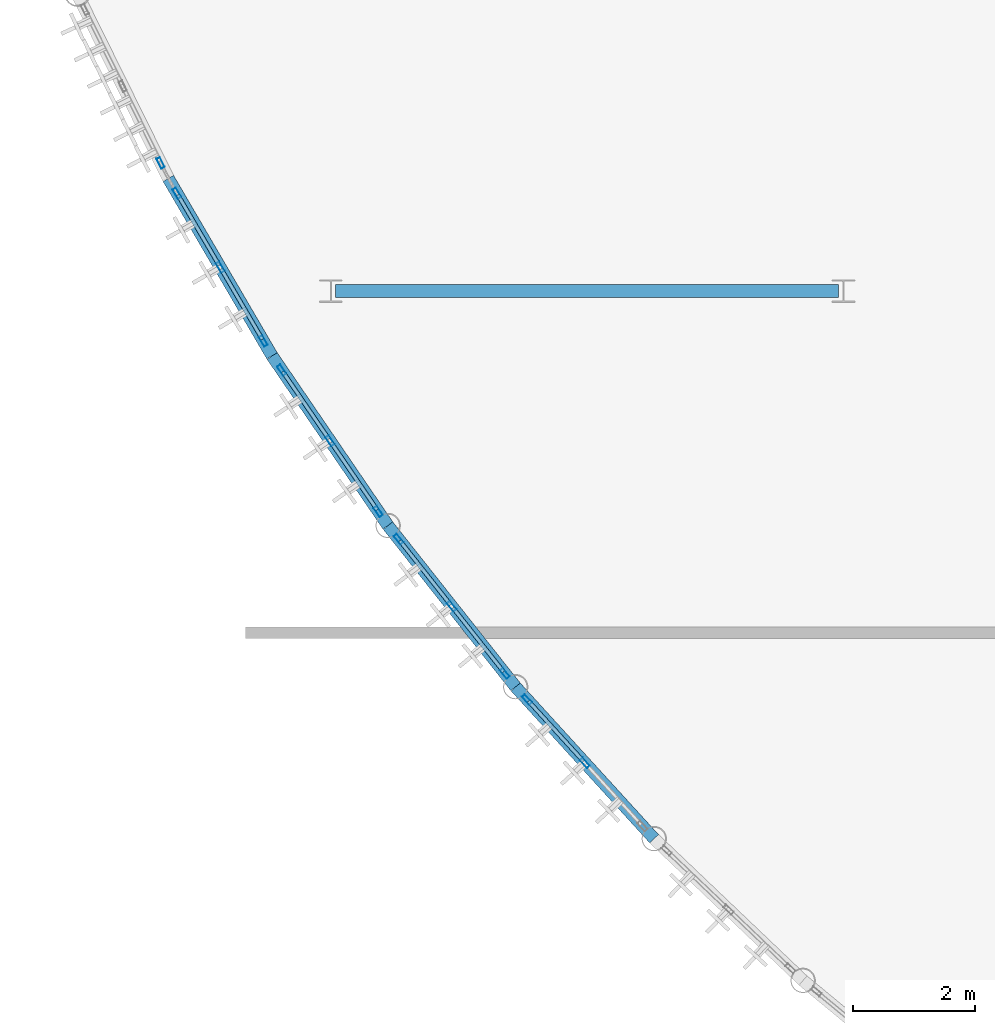
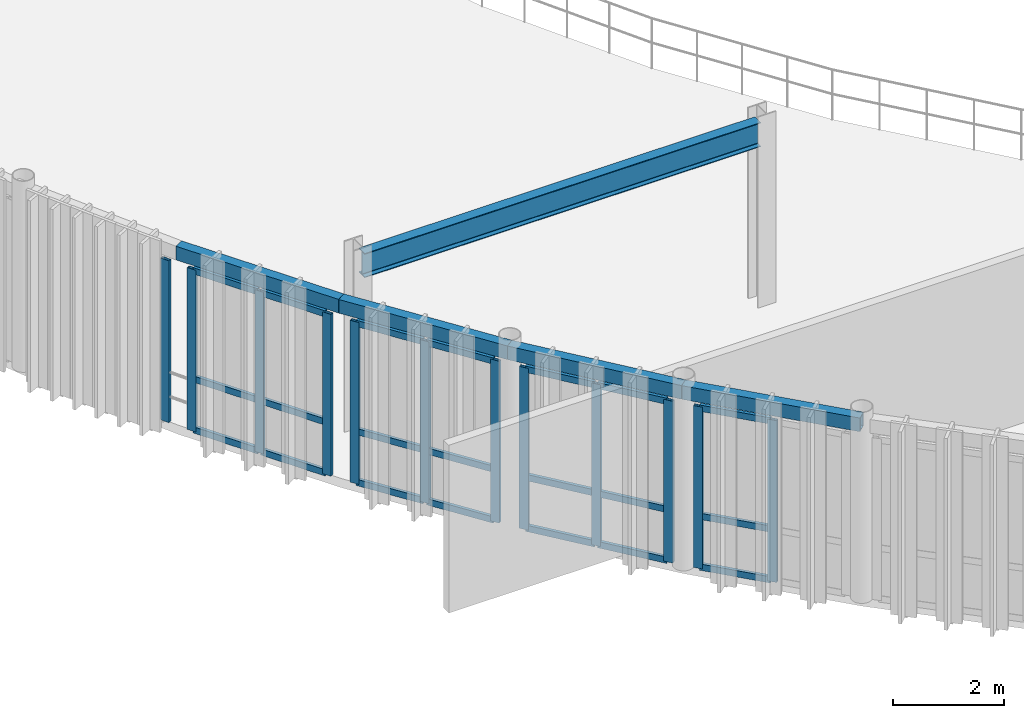
# One storey, part 15 of 54: 33 members, 5 beams, 5 elements without a shape of their own.
"""IFC4 building model written with IfcOpenShell, lengths in metres."""

import ifcopenshell
import ifcopenshell.guid

model = None  # the IFC model being written
_history = None  # IfcOwnerHistory: only IFC2X3 demands one
_inside = {}  # id of a spatial element -> (the spatial element, [elements in it])
_under = {}  # id of a project, library or spatial element -> (it, [spatial elements below it])
_declared = {}  # id of a project -> (the project, [libraries it declares])
_typed = {}  # id of a type object -> (the type object, [elements of that type])
_made_of = {}  # id of a material, layer set ... -> (it, [elements and type objects made of it])


def new_model(schema):
    """Start an empty IFC model of exactly this schema.

    Asked for "IFC4X3", IfcOpenShell would pick the latest addendum, in which some entities
    have other attributes; the version numbers below select the first issue.
    IFC2X3 requires an IfcOwnerHistory on every rooted entity: one is made here for all.
    """
    global model, _history
    if schema == "IFC4X3":
        model = ifcopenshell.file(schema_version=(4, 3, 0, 0))
    else:
        model = ifcopenshell.file(schema=schema)
    _inside.clear()
    _under.clear()
    _declared.clear()
    _typed.clear()
    _made_of.clear()
    _history = None
    if model.schema == "IFC2X3":
        org = make("IfcOrganization", Name="unknown")
        user = make(
            "IfcPersonAndOrganization",
            ThePerson=make("IfcPerson", FamilyName="unknown"),
            TheOrganization=org,
        )
        app = make(
            "IfcApplication",
            ApplicationDeveloper=org,
            Version="unknown",
            ApplicationFullName="unknown",
            ApplicationIdentifier="unknown",
        )
        _history = make(
            "IfcOwnerHistory",
            OwningUser=user,
            OwningApplication=app,
            ChangeAction="ADDED",
            CreationDate=0,
        )
    return model


def make(cls, **values):
    """One entity of the class cls with the attributes given. An attribute that is None is left unset."""
    return model.create_entity(
        cls, **{name: value for name, value in values.items() if value is not None}
    )


def rooted(cls, **values):
    """An entity with a GlobalId (a new one), such as an element, a storey or a relation."""
    return make(cls, GlobalId=ifcopenshell.guid.new(), OwnerHistory=_history, **values)


def si_unit(unit_type, name, prefix=None):
    """IfcSIUnit, for example si_unit("LENGTHUNIT", "METRE", prefix="MILLI")."""
    return make("IfcSIUnit", UnitType=unit_type, Prefix=prefix, Name=name)


def assignment(units):
    """IfcUnitAssignment: the units of a project."""
    return None if units is None else make("IfcUnitAssignment", Units=units)


def point(xyz):
    """IfcCartesianPoint."""
    return None if xyz is None else make("IfcCartesianPoint", Coordinates=xyz)


def direction(xyz):
    """IfcDirection."""
    return None if xyz is None else make("IfcDirection", DirectionRatios=xyz)


def frame(location, z_axis=None, x_axis=None):
    """IfcAxis2Placement3D, a coordinate frame: its origin and axes. An axis left out is left unset."""
    return make(
        "IfcAxis2Placement3D",
        Location=point(location),
        Axis=direction(z_axis),
        RefDirection=direction(x_axis),
    )


def frame_2d(location, x_axis=None):
    """IfcAxis2Placement2D, a coordinate frame in the plane: its origin and x axis."""
    return make(
        "IfcAxis2Placement2D", Location=point(location), RefDirection=direction(x_axis)
    )


def origin():
    """The frame at (0, 0, 0) with its axes left unset."""
    return frame((0.0, 0.0, 0.0))


def origin_2d():
    """The frame at (0, 0) in the plane with its x axis left unset."""
    return frame_2d((0.0, 0.0))


def place(relative_to, where):
    """IfcLocalPlacement: puts the frame where relative to a parent placement (None: the world)."""
    return make(
        "IfcLocalPlacement", PlacementRelTo=relative_to, RelativePlacement=where
    )


def context(
    kind, dimensions, precision=None, world=None, true_north=None, identifier=None
):
    """IfcGeometricRepresentationContext, for example the 3D "Model" context."""
    return make(
        "IfcGeometricRepresentationContext",
        ContextIdentifier=identifier,
        ContextType=kind,
        CoordinateSpaceDimension=dimensions,
        Precision=precision,
        WorldCoordinateSystem=world,
        TrueNorth=true_north,
    )


def subcontext(parent, identifier, kind, view, scale=None):
    """IfcGeometricRepresentationSubContext, for example "Body" below "Model"."""
    return make(
        "IfcGeometricRepresentationSubContext",
        ContextIdentifier=identifier,
        ContextType=kind,
        ParentContext=parent,
        TargetScale=scale,
        TargetView=view,
    )


def project(units=None, contexts=None):
    """IfcProject with its units and contexts."""
    return rooted(
        "IfcProject",
        Name="project",
        RepresentationContexts=contexts,
        UnitsInContext=assignment(units),
    )


def spatial(cls, under=None, at=None, **own):
    """A site, building, storey or space (cls), placed at a placement, below another one or the project."""
    s = rooted(cls, ObjectPlacement=at, **own)
    if under is not None:
        _under.setdefault(under.id(), (under, []))[1].append(s)
    return s


def profile(cls, at=None, kind="AREA", **sizes):
    """A parametric profile (cls). Its sizes go by their IFC names, for example OverallWidth=200.0."""
    return make(cls, ProfileType=kind, Position=at, **sizes)


def hollow_rectangle(**sizes):
    """IfcRectangleHollowProfileDef."""
    return profile("IfcRectangleHollowProfileDef", **sizes)


def i_section(**sizes):
    """IfcIShapeProfileDef."""
    return profile("IfcIShapeProfileDef", **sizes)


def extrude(swept, where, along, depth):
    """IfcExtrudedAreaSolid: the profile swept, set in the frame where, extruded along a direction by depth."""
    return make(
        "IfcExtrudedAreaSolid",
        SweptArea=swept,
        Position=where,
        ExtrudedDirection=direction(along),
        Depth=depth,
    )


def shape(context_of_items, identifier, shape_type, items):
    """IfcShapeRepresentation: the items that make up one representation, for example the "Body"."""
    return make(
        "IfcShapeRepresentation",
        ContextOfItems=context_of_items,
        RepresentationIdentifier=identifier,
        RepresentationType=shape_type,
        Items=items,
    )


def material(Name=None, Category=None):
    """IfcMaterial."""
    return make("IfcMaterial", Name=Name, Category=Category)


def layer(
    of_material, thickness, ventilated=None, Name=None, Category=None, Priority=None
):
    """IfcMaterialLayer: one layer of a wall or slab, of a material (None: an air gap)."""
    return make(
        "IfcMaterialLayer",
        Material=of_material,
        LayerThickness=thickness,
        IsVentilated=ventilated,
        Name=Name,
        Category=Category,
        Priority=Priority,
    )


def layer_set(layers, Name=None):
    """IfcMaterialLayerSet."""
    return make("IfcMaterialLayerSet", MaterialLayers=layers, LayerSetName=Name)


def material_profile(
    of_material, cross_section, Name=None, Category=None, Priority=None
):
    """IfcMaterialProfile: a cross section and its material."""
    return make(
        "IfcMaterialProfile",
        Name=Name,
        Material=of_material,
        Profile=cross_section,
        Priority=Priority,
        Category=Category,
    )


def profile_set(profiles, Name=None, composite=None):
    """IfcMaterialProfileSet."""
    return make(
        "IfcMaterialProfileSet",
        Name=Name,
        MaterialProfiles=profiles,
        CompositeProfile=composite,
    )


def made_of(thing, what):
    """Note that an element or type object is made of a material, layer set ...; save() writes the relation."""
    if what is not None:
        _made_of.setdefault(what.id(), (what, []))[1].append(thing)
    return thing


def type_object(cls, material=None, **own):
    """A type object (cls), such as IfcWallType, which elements share."""
    return made_of(rooted(cls, **own), material)


def element(
    cls,
    number,
    at=None,
    inside=None,
    cuts=None,
    type_object=None,
    material=None,
    context=None,
    identifier="Body",
    shape_type=None,
    held_by="IfcProductDefinitionShape",
    body=None,
    shapes=None,
    **own,
):
    """One element of the class cls, such as IfcWall. Its Tag is "e" and its number.

    at: its placement. inside: the storey or other place that contains it. cuts: it is an
    opening in that element (IfcRelVoidsElement). A single representation is given by context,
    identifier, shape_type and body (its items); several are given by shapes. held_by: the class
    of the entity that holds the representations. save() writes the other relations.
    """
    e = rooted(cls, Tag="e%d" % number, ObjectPlacement=at, **own)
    if body is not None:
        shapes = [shape(context, identifier, shape_type, body)]
    if shapes is not None:
        e.Representation = make(held_by, Representations=shapes)
    if inside is not None:
        _inside.setdefault(inside.id(), (inside, []))[1].append(e)
    if cuts is not None:
        rooted(
            "IfcRelVoidsElement", RelatingBuildingElement=cuts, RelatedOpeningElement=e
        )
    if type_object is not None:
        _typed.setdefault(type_object.id(), (type_object, []))[1].append(e)
    return made_of(e, material)


def aggregate(whole, parts):
    """IfcRelAggregates: a whole, such as a stair, and the parts it consists of."""
    return rooted("IfcRelAggregates", RelatingObject=whole, RelatedObjects=parts)


def save(model, path):
    """Write the relations noted so far, then the file.

    IfcRelAggregates (storeys below a building ...), IfcRelContainedInSpatialStructure (elements
    in a storey), IfcRelDefinesByType, IfcRelAssociatesMaterial and IfcRelDeclares: one each for
    every whole, place, type object, material and project.
    """
    for whole, parts in _under.values():
        aggregate(whole, parts)
    for where, things in _inside.values():
        rooted(
            "IfcRelContainedInSpatialStructure",
            RelatedElements=things,
            RelatingStructure=where,
        )
    for kind, things in _typed.values():
        rooted("IfcRelDefinesByType", RelatedObjects=things, RelatingType=kind)
    for what, things in _made_of.values():
        rooted("IfcRelAssociatesMaterial", RelatedObjects=things, RelatingMaterial=what)
    for by, libraries in _declared.values():
        rooted("IfcRelDeclares", RelatingContext=by, RelatedDefinitions=libraries)
    model.write(path)


model = new_model("IFC4")

# Units and contexts
model_context = context("Model", 3, precision=1e-05, world=origin(), true_north=direction((0.0, 1.0)))
body_context = subcontext(model_context, "Body", "Model", "MODEL_VIEW")
ifc_project = project(units=[si_unit("LENGTHUNIT", "METRE"), si_unit("AREAUNIT", "SQUARE_METRE"), si_unit("VOLUMEUNIT", "CUBIC_METRE"), si_unit("PLANEANGLEUNIT", "RADIAN"), si_unit("MASSUNIT", "GRAM", prefix="KILO")], contexts=[model_context])

# Site, building, storey
site_placement = place(None, origin())
site = spatial("IfcSite", under=ifc_project, at=site_placement, CompositionType="ELEMENT")
building_placement = place(site_placement, origin())
building = spatial("IfcBuilding", under=site, at=building_placement, Name="Selat Folded Stagehouse", CompositionType="ELEMENT")
storey_placement = place(building_placement, frame((0.0, 0.0, 15.0)))
storey = spatial("IfcBuildingStorey", under=building, at=storey_placement, Name="L03", CompositionType="ELEMENT", Elevation=15.0)

# Beam
ifc_material_1 = material(Name="Steel S355", Category="steel")
ifc_material_profile_1 = material_profile(ifc_material_1, i_section(OverallWidth=0.209228515625, OverallDepth=0.533203125, WebThickness=0.010009765625, FlangeThickness=0.015625, FilletRadius=0.0126953125, at=origin_2d()), Name="UKB 533x210x92")
ifc_profile_set_1 = profile_set([ifc_material_profile_1], Name="Steel S355")
beam_type_1 = type_object("IfcBeamType", Name="BM-GIRD-533x210x92", PredefinedType="BEAM", material=ifc_profile_set_1)
beam_placement = place(storey_placement, frame((8.47998046875, 23.39990234375, 3.7333984375), z_axis=(1.0, 0.0, 0.0), x_axis=(0.0, 1.0, 0.0)))
element("IfcBeam", 1, at=beam_placement, inside=storey, type_object=beam_type_1, Name="L03 primary x-girder 1268", PredefinedType="BEAM", context=body_context, shape_type="SweptSolid", body=[
    extrude(i_section(OverallWidth=0.209228515625, OverallDepth=0.533203125, WebThickness=0.010009765625, FlangeThickness=0.015625, FilletRadius=0.0126953125, at=origin_2d()), origin(), (0.0, 0.0, 1.0), 8.239990234375),
])

# Curtain wall, member
ifc_material_2 = material(Name="Aluminium 6063-T6", Category="aluminium")
ifc_layer = layer(ifc_material_2, 0.18505859375)
ifc_layer_set = layer_set([ifc_layer], Name="Aluminium 6063-T6")
curtain_wall_type = type_object("IfcCurtainWallType", Name="CW-DRM-UPPER", PredefinedType="NOTDEFINED", material=ifc_layer_set)
curtain_wall_1_placement = place(storey_placement, origin())
curtain_wall_1 = element("IfcCurtainWall", 2, at=curtain_wall_1_placement, inside=storey, type_object=curtain_wall_type, Name="L03 curtain wall CW-DRM-L03-08", PredefinedType="NOTDEFINED")
ifc_material_profile_2 = material_profile(ifc_material_2, hollow_rectangle(XDim=0.06494140625, YDim=0.179931640625, WallThickness=0.00390625, at=origin_2d()), Name="ALU 180x65x4.0")
ifc_profile_set_2 = profile_set([ifc_material_profile_2], Name="Aluminium 6063-T6")
member_type_1 = type_object("IfcMemberType", Name="CWM-MUL-180x65", PredefinedType="MULLION", material=ifc_profile_set_2)
member_1_placement = place(storey_placement, frame((5.61083984375, 25.4990234375, 0.0), z_axis=(0.0, 0.0, 1.0), x_axis=(-0.896598356392, -0.442844653705, 0.0)))
member_1 = element("IfcMember", 3, at=member_1_placement, type_object=member_type_1, Name="CW-03 mullion 1", PredefinedType="MULLION", context=body_context, shape_type="SweptSolid", body=[
    extrude(hollow_rectangle(XDim=0.06494140625, YDim=0.179931640625, WallThickness=0.00390625, at=origin_2d()), origin(), (0.0, 0.0, 1.0), 3.56005859375),
])
aggregate(curtain_wall_1, [member_1])

# Curtain wall, members
curtain_wall_2_placement = place(storey_placement, origin())
curtain_wall_2 = element("IfcCurtainWall", 4, at=curtain_wall_2_placement, inside=storey, type_object=curtain_wall_type, Name="L03 curtain wall CW-DRM-L03-09", PredefinedType="NOTDEFINED")
member_2_placement = place(storey_placement, frame((7.293701171875, 22.5810546875, 0.0), z_axis=(0.0, 0.0, 1.0), x_axis=(-0.863332305214, -0.504635839764, 0.0)))
member_2 = element("IfcMember", 5, at=member_2_placement, type_object=member_type_1, Name="CW-03 mullion 1", PredefinedType="MULLION", context=body_context, shape_type="SweptSolid", body=[
    extrude(hollow_rectangle(XDim=0.06494140625, YDim=0.179931640625, WallThickness=0.00390625, at=origin_2d()), origin(), (0.0, 0.0, 1.0), 3.56005859375),
])
member_3_placement = place(storey_placement, frame((6.586181640625, 23.79150390625, 0.0), z_axis=(0.0, 0.0, 1.0), x_axis=(-0.863332305214, -0.504635839764, 0.0)))
member_3 = element("IfcMember", 6, at=member_3_placement, type_object=member_type_1, Name="CW-03 mullion 2", PredefinedType="MULLION", context=body_context, shape_type="SweptSolid", body=[
    extrude(hollow_rectangle(XDim=0.06494140625, YDim=0.179931640625, WallThickness=0.00390625, at=origin_2d()), origin(), (0.0, 0.0, 1.0), 3.56005859375),
])
member_4_placement = place(storey_placement, frame((5.878662109375, 25.001953125, 0.0), z_axis=(0.0, 0.0, 1.0), x_axis=(-0.863332305214, -0.504635839764, 0.0)))
member_4 = element("IfcMember", 7, at=member_4_placement, type_object=member_type_1, Name="CW-03 mullion 3", PredefinedType="MULLION", context=body_context, shape_type="SweptSolid", body=[
    extrude(hollow_rectangle(XDim=0.06494140625, YDim=0.179931640625, WallThickness=0.00390625, at=origin_2d()), origin(), (0.0, 0.0, 1.0), 3.56005859375),
])

curtain_wall_3_placement = place(storey_placement, origin())
curtain_wall_3 = element("IfcCurtainWall", 8, at=curtain_wall_3_placement, inside=storey, type_object=curtain_wall_type, Name="L03 curtain wall CW-DRM-L03-10", PredefinedType="NOTDEFINED")
member_5_placement = place(storey_placement, frame((9.1767578125, 19.788330078125, 0.0), z_axis=(0.0, 0.0, 1.0), x_axis=(-0.825810483709, -0.563947732504, 0.0)))
member_5 = element("IfcMember", 9, at=member_5_placement, type_object=member_type_1, Name="CW-03 mullion 1", PredefinedType="MULLION", context=body_context, shape_type="SweptSolid", body=[
    extrude(hollow_rectangle(XDim=0.06494140625, YDim=0.179931640625, WallThickness=0.00390625, at=origin_2d()), origin(), (0.0, 0.0, 1.0), 3.56005859375),
])
member_6_placement = place(storey_placement, frame((8.38623046875, 20.946044921875, 0.0), z_axis=(0.0, 0.0, 1.0), x_axis=(-0.825810483709, -0.563947732504, 0.0)))
member_6 = element("IfcMember", 10, at=member_6_placement, type_object=member_type_1, Name="CW-03 mullion 2", PredefinedType="MULLION", context=body_context, shape_type="SweptSolid", body=[
    extrude(hollow_rectangle(XDim=0.06494140625, YDim=0.179931640625, WallThickness=0.00390625, at=origin_2d()), origin(), (0.0, 0.0, 1.0), 3.56005859375),
])
member_7_placement = place(storey_placement, frame((7.595458984375, 22.10400390625, 0.0), z_axis=(0.0, 0.0, 1.0), x_axis=(-0.825810483709, -0.563947732504, 0.0)))
member_7 = element("IfcMember", 11, at=member_7_placement, type_object=member_type_1, Name="CW-03 mullion 3", PredefinedType="MULLION", context=body_context, shape_type="SweptSolid", body=[
    extrude(hollow_rectangle(XDim=0.06494140625, YDim=0.179931640625, WallThickness=0.00390625, at=origin_2d()), origin(), (0.0, 0.0, 1.0), 3.56005859375),
])

curtain_wall_4_placement = place(storey_placement, origin())
curtain_wall_4 = element("IfcCurtainWall", 12, at=curtain_wall_4_placement, inside=storey, type_object=curtain_wall_type, Name="L03 curtain wall CW-DRM-L03-11", PredefinedType="NOTDEFINED")
member_8_placement = place(storey_placement, frame((11.25146484375, 17.134765625, 0.0), z_axis=(0.0, 0.0, 1.0), x_axis=(-0.784180094825, -0.620533301992, 0.0)))
member_8 = element("IfcMember", 13, at=member_8_placement, type_object=member_type_1, Name="CW-03 mullion 1", PredefinedType="MULLION", context=body_context, shape_type="SweptSolid", body=[
    extrude(hollow_rectangle(XDim=0.06494140625, YDim=0.179931640625, WallThickness=0.00390625, at=origin_2d()), origin(), (0.0, 0.0, 1.0), 3.56005859375),
])
member_9_placement = place(storey_placement, frame((10.38134765625, 18.234130859375, 0.0), z_axis=(0.0, 0.0, 1.0), x_axis=(-0.784180094825, -0.620533301992, 0.0)))
member_9 = element("IfcMember", 14, at=member_9_placement, type_object=member_type_1, Name="CW-03 mullion 2", PredefinedType="MULLION", context=body_context, shape_type="SweptSolid", body=[
    extrude(hollow_rectangle(XDim=0.06494140625, YDim=0.179931640625, WallThickness=0.00390625, at=origin_2d()), origin(), (0.0, 0.0, 1.0), 3.56005859375),
])
member_10_placement = place(storey_placement, frame((9.511474609375, 19.33349609375, 0.0), z_axis=(0.0, 0.0, 1.0), x_axis=(-0.784180094825, -0.620533301992, 0.0)))
member_10 = element("IfcMember", 15, at=member_10_placement, type_object=member_type_1, Name="CW-03 mullion 3", PredefinedType="MULLION", context=body_context, shape_type="SweptSolid", body=[
    extrude(hollow_rectangle(XDim=0.06494140625, YDim=0.179931640625, WallThickness=0.00390625, at=origin_2d()), origin(), (0.0, 0.0, 1.0), 3.56005859375),
])

curtain_wall_5_placement = place(storey_placement, origin())
curtain_wall_5 = element("IfcCurtainWall", 16, at=curtain_wall_5_placement, inside=storey, type_object=curtain_wall_type, Name="L03 curtain wall CW-DRM-L03-12", PredefinedType="NOTDEFINED")
member_11_placement = place(storey_placement, frame((12.56201171875, 15.668701171875, 0.0), z_axis=(0.0, 0.0, 1.0), x_axis=(-0.738729183213, -0.674002369336, 0.0)))
member_11 = element("IfcMember", 17, at=member_11_placement, type_object=member_type_1, Name="CW-03 mullion 2", PredefinedType="MULLION", context=body_context, shape_type="SweptSolid", body=[
    extrude(hollow_rectangle(XDim=0.06494140625, YDim=0.179931640625, WallThickness=0.00390625, at=origin_2d()), origin(), (0.0, 0.0, 1.0), 3.56005859375),
])
member_12_placement = place(storey_placement, frame((11.6171875, 16.704345703125, 0.0), z_axis=(0.0, 0.0, 1.0), x_axis=(-0.738729183213, -0.674002369336, 0.0)))
member_12 = element("IfcMember", 18, at=member_12_placement, type_object=member_type_1, Name="CW-03 mullion 3", PredefinedType="MULLION", context=body_context, shape_type="SweptSolid", body=[
    extrude(hollow_rectangle(XDim=0.06494140625, YDim=0.179931640625, WallThickness=0.00390625, at=origin_2d()), origin(), (0.0, 0.0, 1.0), 3.56005859375),
])

# Member
ifc_material_profile_3 = material_profile(ifc_material_2, hollow_rectangle(XDim=0.06494140625, YDim=0.139892578125, WallThickness=0.00390625, at=origin_2d()), Name="ALU 140x65x4.0")
ifc_profile_set_3 = profile_set([ifc_material_profile_3], Name="Aluminium 6063-T6")
member_type_2 = type_object("IfcMemberType", Name="CWM-TRN-140x65", PredefinedType="USERDEFINED", material=ifc_profile_set_3)
member_13_placement = place(storey_placement, frame((7.277099609375, 22.609130859375, 0.032470703125), z_axis=(-0.504552109114, 0.863381242088, 0.0), x_axis=(-0.863381242088, -0.504552109114, 0.0)))
member_13 = element("IfcMember", 19, at=member_13_placement, type_object=member_type_2, Name="CW-03 transom 1.1", ObjectType="TRANSOM", PredefinedType="USERDEFINED", context=body_context, shape_type="SweptSolid", body=[
    extrude(hollow_rectangle(XDim=0.06494140625, YDim=0.139892578125, WallThickness=0.00390625, at=origin_2d()), origin(), (0.0, 0.0, 1.0), 1.3369140625),
])

member_14_placement = place(storey_placement, frame((7.277099609375, 22.609130859375, 1.14990234375), z_axis=(-0.504552109114, 0.863381242088, 0.0), x_axis=(-0.863381242088, -0.504552109114, 0.0)))
member_14 = element("IfcMember", 20, at=member_14_placement, type_object=member_type_2, Name="CW-03 transom 1.2", ObjectType="TRANSOM", PredefinedType="USERDEFINED", context=body_context, shape_type="SweptSolid", body=[
    extrude(hollow_rectangle(XDim=0.06494140625, YDim=0.139892578125, WallThickness=0.00390625, at=origin_2d()), origin(), (0.0, 0.0, 1.0), 1.3369140625),
])

member_15_placement = place(storey_placement, frame((7.277099609375, 22.609130859375, 3.527587890625), z_axis=(-0.504552109114, 0.863381242088, 0.0), x_axis=(-0.863381242088, -0.504552109114, 0.0)))
member_15 = element("IfcMember", 21, at=member_15_placement, type_object=member_type_2, Name="CW-03 transom 1.3", ObjectType="TRANSOM", PredefinedType="USERDEFINED", context=body_context, shape_type="SweptSolid", body=[
    extrude(hollow_rectangle(XDim=0.06494140625, YDim=0.139892578125, WallThickness=0.00390625, at=origin_2d()), origin(), (0.0, 0.0, 1.0), 1.3369140625),
])

member_16_placement = place(storey_placement, frame((6.569580078125, 23.819580078125, 0.032470703125), z_axis=(-0.504552109114, 0.863381242088, 0.0), x_axis=(-0.863381242088, -0.504552109114, 0.0)))
member_16 = element("IfcMember", 22, at=member_16_placement, type_object=member_type_2, Name="CW-03 transom 2.1", ObjectType="TRANSOM", PredefinedType="USERDEFINED", context=body_context, shape_type="SweptSolid", body=[
    extrude(hollow_rectangle(XDim=0.06494140625, YDim=0.139892578125, WallThickness=0.00390625, at=origin_2d()), origin(), (0.0, 0.0, 1.0), 1.3369140625),
])

member_17_placement = place(storey_placement, frame((6.569580078125, 23.819580078125, 1.14990234375), z_axis=(-0.504552109114, 0.863381242088, 0.0), x_axis=(-0.863381242088, -0.504552109114, 0.0)))
member_17 = element("IfcMember", 23, at=member_17_placement, type_object=member_type_2, Name="CW-03 transom 2.2", ObjectType="TRANSOM", PredefinedType="USERDEFINED", context=body_context, shape_type="SweptSolid", body=[
    extrude(hollow_rectangle(XDim=0.06494140625, YDim=0.139892578125, WallThickness=0.00390625, at=origin_2d()), origin(), (0.0, 0.0, 1.0), 1.3369140625),
])

member_18_placement = place(storey_placement, frame((6.569580078125, 23.819580078125, 3.527587890625), z_axis=(-0.504552109114, 0.863381242088, 0.0), x_axis=(-0.863381242088, -0.504552109114, 0.0)))
member_18 = element("IfcMember", 24, at=member_18_placement, type_object=member_type_2, Name="CW-03 transom 2.3", ObjectType="TRANSOM", PredefinedType="USERDEFINED", context=body_context, shape_type="SweptSolid", body=[
    extrude(hollow_rectangle(XDim=0.06494140625, YDim=0.139892578125, WallThickness=0.00390625, at=origin_2d()), origin(), (0.0, 0.0, 1.0), 1.3369140625),
])

aggregate(curtain_wall_2, [member_2, member_3, member_4, member_13, member_14, member_15, member_16, member_17, member_18])

member_19_placement = place(storey_placement, frame((9.158447265625, 19.815185546875, 0.032470703125), z_axis=(-0.563937345678, 0.825817576799, 0.0), x_axis=(-0.825817576799, -0.563937345678, 0.0)))
member_19 = element("IfcMember", 25, at=member_19_placement, type_object=member_type_2, Name="CW-03 transom 1.1", ObjectType="TRANSOM", PredefinedType="USERDEFINED", context=body_context, shape_type="SweptSolid", body=[
    extrude(hollow_rectangle(XDim=0.06494140625, YDim=0.139892578125, WallThickness=0.00390625, at=origin_2d()), origin(), (0.0, 0.0, 1.0), 1.3369140625),
])

member_20_placement = place(storey_placement, frame((9.158447265625, 19.815185546875, 1.14990234375), z_axis=(-0.563937345678, 0.825817576799, 0.0), x_axis=(-0.825817576799, -0.563937345678, 0.0)))
member_20 = element("IfcMember", 26, at=member_20_placement, type_object=member_type_2, Name="CW-03 transom 1.2", ObjectType="TRANSOM", PredefinedType="USERDEFINED", context=body_context, shape_type="SweptSolid", body=[
    extrude(hollow_rectangle(XDim=0.06494140625, YDim=0.139892578125, WallThickness=0.00390625, at=origin_2d()), origin(), (0.0, 0.0, 1.0), 1.3369140625),
])

member_21_placement = place(storey_placement, frame((9.158447265625, 19.815185546875, 3.527587890625), z_axis=(-0.563937345678, 0.825817576799, 0.0), x_axis=(-0.825817576799, -0.563937345678, 0.0)))
member_21 = element("IfcMember", 27, at=member_21_placement, type_object=member_type_2, Name="CW-03 transom 1.3", ObjectType="TRANSOM", PredefinedType="USERDEFINED", context=body_context, shape_type="SweptSolid", body=[
    extrude(hollow_rectangle(XDim=0.06494140625, YDim=0.139892578125, WallThickness=0.00390625, at=origin_2d()), origin(), (0.0, 0.0, 1.0), 1.3369140625),
])

member_22_placement = place(storey_placement, frame((8.367919921875, 20.972900390625, 0.032470703125), z_axis=(-0.563976829856, 0.825790612314, 0.0), x_axis=(-0.825790612314, -0.563976829856, 0.0)))
member_22 = element("IfcMember", 28, at=member_22_placement, type_object=member_type_2, Name="CW-03 transom 2.1", ObjectType="TRANSOM", PredefinedType="USERDEFINED", context=body_context, shape_type="SweptSolid", body=[
    extrude(hollow_rectangle(XDim=0.06494140625, YDim=0.139892578125, WallThickness=0.00390625, at=origin_2d()), origin(), (0.0, 0.0, 1.0), 1.337158203125),
])

member_23_placement = place(storey_placement, frame((8.367919921875, 20.972900390625, 1.14990234375), z_axis=(-0.563976829856, 0.825790612314, 0.0), x_axis=(-0.825790612314, -0.563976829856, 0.0)))
member_23 = element("IfcMember", 29, at=member_23_placement, type_object=member_type_2, Name="CW-03 transom 2.2", ObjectType="TRANSOM", PredefinedType="USERDEFINED", context=body_context, shape_type="SweptSolid", body=[
    extrude(hollow_rectangle(XDim=0.06494140625, YDim=0.139892578125, WallThickness=0.00390625, at=origin_2d()), origin(), (0.0, 0.0, 1.0), 1.337158203125),
])

member_24_placement = place(storey_placement, frame((8.367919921875, 20.972900390625, 3.527587890625), z_axis=(-0.563976829856, 0.825790612314, 0.0), x_axis=(-0.825790612314, -0.563976829856, 0.0)))
member_24 = element("IfcMember", 30, at=member_24_placement, type_object=member_type_2, Name="CW-03 transom 2.3", ObjectType="TRANSOM", PredefinedType="USERDEFINED", context=body_context, shape_type="SweptSolid", body=[
    extrude(hollow_rectangle(XDim=0.06494140625, YDim=0.139892578125, WallThickness=0.00390625, at=origin_2d()), origin(), (0.0, 0.0, 1.0), 1.337158203125),
])

aggregate(curtain_wall_3, [member_5, member_6, member_7, member_19, member_20, member_21, member_22, member_23, member_24])

member_25_placement = place(storey_placement, frame((11.231201171875, 17.16015625, 0.032470703125), z_axis=(-0.620543894038, 0.784171713066, 0.0), x_axis=(-0.784171713066, -0.620543894038, 0.0)))
member_25 = element("IfcMember", 31, at=member_25_placement, type_object=member_type_2, Name="CW-03 transom 1.1", ObjectType="TRANSOM", PredefinedType="USERDEFINED", context=body_context, shape_type="SweptSolid", body=[
    extrude(hollow_rectangle(XDim=0.06494140625, YDim=0.139892578125, WallThickness=0.00390625, at=origin_2d()), origin(), (0.0, 0.0, 1.0), 1.3369140625),
])

member_26_placement = place(storey_placement, frame((11.231201171875, 17.16015625, 1.14990234375), z_axis=(-0.620543894038, 0.784171713066, 0.0), x_axis=(-0.784171713066, -0.620543894038, 0.0)))
member_26 = element("IfcMember", 32, at=member_26_placement, type_object=member_type_2, Name="CW-03 transom 1.2", ObjectType="TRANSOM", PredefinedType="USERDEFINED", context=body_context, shape_type="SweptSolid", body=[
    extrude(hollow_rectangle(XDim=0.06494140625, YDim=0.139892578125, WallThickness=0.00390625, at=origin_2d()), origin(), (0.0, 0.0, 1.0), 1.3369140625),
])

member_27_placement = place(storey_placement, frame((11.231201171875, 17.16015625, 3.527587890625), z_axis=(-0.620543894038, 0.784171713066, 0.0), x_axis=(-0.784171713066, -0.620543894038, 0.0)))
member_27 = element("IfcMember", 33, at=member_27_placement, type_object=member_type_2, Name="CW-03 transom 1.3", ObjectType="TRANSOM", PredefinedType="USERDEFINED", context=body_context, shape_type="SweptSolid", body=[
    extrude(hollow_rectangle(XDim=0.06494140625, YDim=0.139892578125, WallThickness=0.00390625, at=origin_2d()), origin(), (0.0, 0.0, 1.0), 1.3369140625),
])

member_28_placement = place(storey_placement, frame((10.361328125, 18.259521484375, 0.032470703125), z_axis=(-0.620455037356, 0.784242020437, 0.0), x_axis=(-0.784242020437, -0.620455037356, 0.0)))
member_28 = element("IfcMember", 34, at=member_28_placement, type_object=member_type_2, Name="CW-03 transom 2.1", ObjectType="TRANSOM", PredefinedType="USERDEFINED", context=body_context, shape_type="SweptSolid", body=[
    extrude(hollow_rectangle(XDim=0.06494140625, YDim=0.139892578125, WallThickness=0.00390625, at=origin_2d()), origin(), (0.0, 0.0, 1.0), 1.337158203125),
])

member_29_placement = place(storey_placement, frame((10.361328125, 18.259521484375, 1.14990234375), z_axis=(-0.620455037356, 0.784242020437, 0.0), x_axis=(-0.784242020437, -0.620455037356, 0.0)))
member_29 = element("IfcMember", 35, at=member_29_placement, type_object=member_type_2, Name="CW-03 transom 2.2", ObjectType="TRANSOM", PredefinedType="USERDEFINED", context=body_context, shape_type="SweptSolid", body=[
    extrude(hollow_rectangle(XDim=0.06494140625, YDim=0.139892578125, WallThickness=0.00390625, at=origin_2d()), origin(), (0.0, 0.0, 1.0), 1.337158203125),
])

member_30_placement = place(storey_placement, frame((10.361328125, 18.259521484375, 3.527587890625), z_axis=(-0.620455037356, 0.784242020437, 0.0), x_axis=(-0.784242020437, -0.620455037356, 0.0)))
member_30 = element("IfcMember", 36, at=member_30_placement, type_object=member_type_2, Name="CW-03 transom 2.3", ObjectType="TRANSOM", PredefinedType="USERDEFINED", context=body_context, shape_type="SweptSolid", body=[
    extrude(hollow_rectangle(XDim=0.06494140625, YDim=0.139892578125, WallThickness=0.00390625, at=origin_2d()), origin(), (0.0, 0.0, 1.0), 1.337158203125),
])

aggregate(curtain_wall_4, [member_8, member_9, member_10, member_25, member_26, member_27, member_28, member_29, member_30])

member_31_placement = place(storey_placement, frame((12.5400390625, 15.692626953125, 0.032470703125), z_axis=(-0.673953245799, 0.738773999594, 0.0), x_axis=(-0.738773999594, -0.673953245799, 0.0)))
member_31 = element("IfcMember", 37, at=member_31_placement, type_object=member_type_2, Name="CW-03 transom 2.1", ObjectType="TRANSOM", PredefinedType="USERDEFINED", context=body_context, shape_type="SweptSolid", body=[
    extrude(hollow_rectangle(XDim=0.06494140625, YDim=0.139892578125, WallThickness=0.00390625, at=origin_2d()), origin(), (0.0, 0.0, 1.0), 1.337158203125),
])

member_32_placement = place(storey_placement, frame((12.5400390625, 15.692626953125, 1.14990234375), z_axis=(-0.673953245799, 0.738773999594, 0.0), x_axis=(-0.738773999594, -0.673953245799, 0.0)))
member_32 = element("IfcMember", 38, at=member_32_placement, type_object=member_type_2, Name="CW-03 transom 2.2", ObjectType="TRANSOM", PredefinedType="USERDEFINED", context=body_context, shape_type="SweptSolid", body=[
    extrude(hollow_rectangle(XDim=0.06494140625, YDim=0.139892578125, WallThickness=0.00390625, at=origin_2d()), origin(), (0.0, 0.0, 1.0), 1.337158203125),
])

member_33_placement = place(storey_placement, frame((12.5400390625, 15.692626953125, 3.527587890625), z_axis=(-0.673953245799, 0.738773999594, 0.0), x_axis=(-0.738773999594, -0.673953245799, 0.0)))
member_33 = element("IfcMember", 39, at=member_33_placement, type_object=member_type_2, Name="CW-03 transom 2.3", ObjectType="TRANSOM", PredefinedType="USERDEFINED", context=body_context, shape_type="SweptSolid", body=[
    extrude(hollow_rectangle(XDim=0.06494140625, YDim=0.139892578125, WallThickness=0.00390625, at=origin_2d()), origin(), (0.0, 0.0, 1.0), 1.337158203125),
])

aggregate(curtain_wall_5, [member_11, member_12, member_31, member_32, member_33])

# Beams
ifc_material_profile_4 = material_profile(ifc_material_1, hollow_rectangle(XDim=0.199951171875, YDim=0.300048828125, WallThickness=0.012451171875, at=origin_2d()), Name="RHS 300x200x12.5")
ifc_profile_set_4 = profile_set([ifc_material_profile_4], Name="Steel S355")
beam_type_2 = type_object("IfcBeamType", Name="SPD-RHS-300x200", PredefinedType="SPANDREL", material=ifc_profile_set_4)
for number, where, z_axis, x_axis, name in (
    (40, (5.736083984375, 25.24560546875, 3.85009765625), (0.504668336107, -0.863313309599, 0.0), (0.863313309599, 0.504668336107, 0.0), "L03 curved drum spandrel beam 10"),
    (41, (7.436279296875, 22.337158203125, 3.85009765625), (0.563964056933, -0.825799335485, 0.0), (0.825799335485, 0.563964056933, 0.0), "L03 curved drum spandrel beam 11"),
):
    element("IfcBeam", number, at=place(storey_placement, frame(where, z_axis=z_axis, x_axis=x_axis)), inside=storey, type_object=beam_type_2, Name=name, PredefinedType="SPANDREL", context=body_context, shape_type="SweptSolid", body=[
        extrude(hollow_rectangle(XDim=0.199951171875, YDim=0.300048828125, WallThickness=0.012451171875, at=origin_2d()), origin(), (0.0, 0.0, 1.0), 3.368896484375),
    ])
for number, where, z_axis, x_axis, name in (
    (42, (9.336181640625, 19.55517578125, 3.85009765625), (0.62050618255, -0.784201554077, 0.0), (0.784201554077, 0.62050618255, 0.0), "L03 curved drum spandrel beam 12"),
    (43, (11.4267578125, 16.9130859375, 3.85009765625), (0.674009862858, -0.738722346197, 0.0), (0.738722346197, 0.674009862858, 0.0), "L03 curved drum spandrel beam 13"),
):
    element("IfcBeam", number, at=place(storey_placement, frame(where, z_axis=z_axis, x_axis=x_axis)), inside=storey, type_object=beam_type_2, Name=name, PredefinedType="SPANDREL", context=body_context, shape_type="SweptSolid", body=[
        extrude(hollow_rectangle(XDim=0.199951171875, YDim=0.300048828125, WallThickness=0.012451171875, at=origin_2d()), origin(), (0.0, 0.0, 1.0), 3.369140625),
    ])

save(model, "model.ifc")
